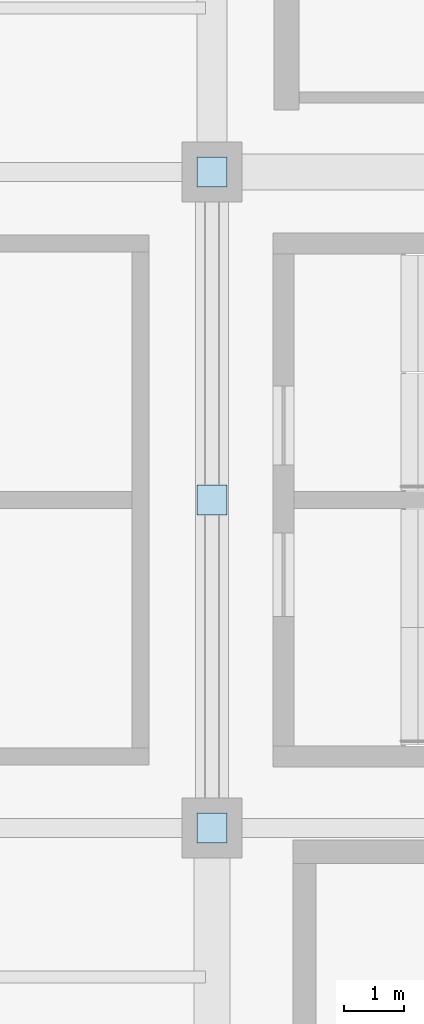
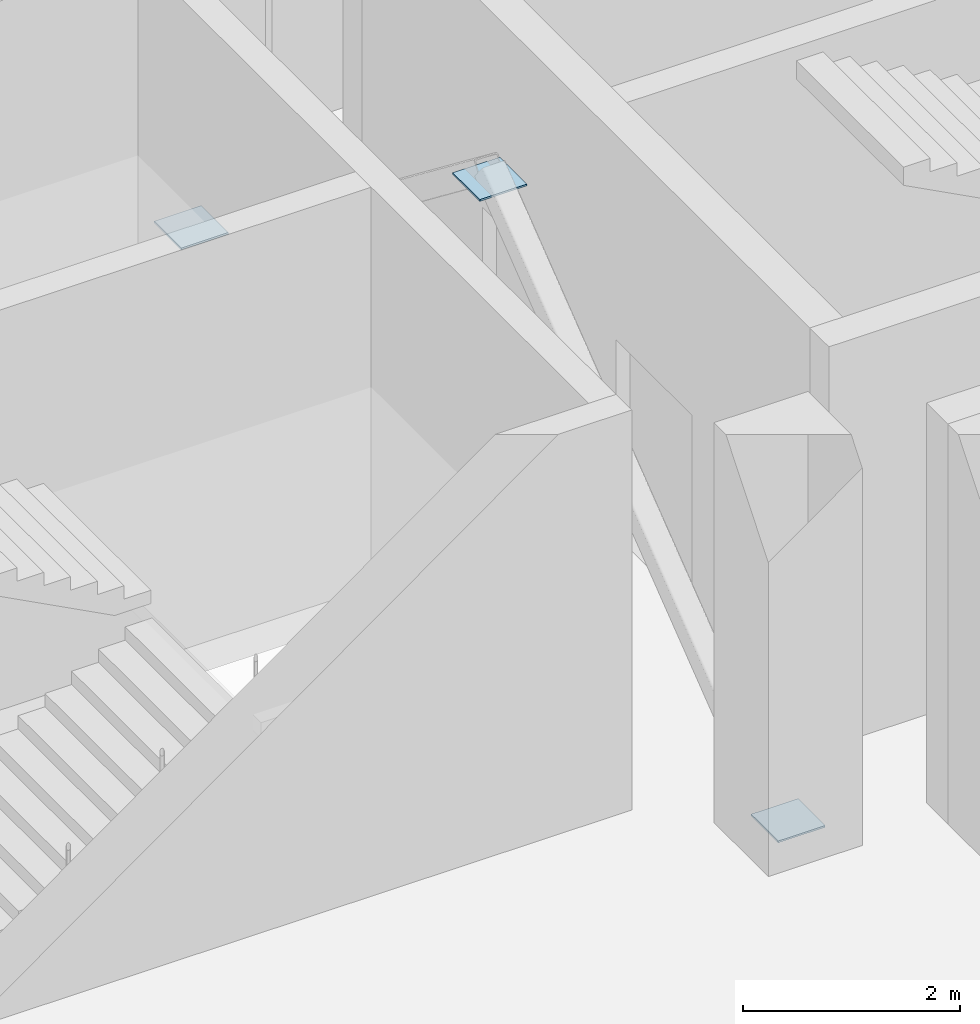
# One storey, part 78 of 108: 3 plates.
"""IFC4 building model written with IfcOpenShell, lengths in metres."""

import ifcopenshell
import ifcopenshell.guid

model = None  # the IFC model being written
_history = None  # IfcOwnerHistory: only IFC2X3 demands one
_inside = {}  # id of a spatial element -> (the spatial element, [elements in it])
_under = {}  # id of a project, library or spatial element -> (it, [spatial elements below it])
_declared = {}  # id of a project -> (the project, [libraries it declares])
_typed = {}  # id of a type object -> (the type object, [elements of that type])
_made_of = {}  # id of a material, layer set ... -> (it, [elements and type objects made of it])


def new_model(schema):
    """Start an empty IFC model of exactly this schema.

    Asked for "IFC4X3", IfcOpenShell would pick the latest addendum, in which some entities
    have other attributes; the version numbers below select the first issue.
    IFC2X3 requires an IfcOwnerHistory on every rooted entity: one is made here for all.
    """
    global model, _history
    if schema == "IFC4X3":
        model = ifcopenshell.file(schema_version=(4, 3, 0, 0))
    else:
        model = ifcopenshell.file(schema=schema)
    _inside.clear()
    _under.clear()
    _declared.clear()
    _typed.clear()
    _made_of.clear()
    _history = None
    if model.schema == "IFC2X3":
        org = make("IfcOrganization", Name="unknown")
        user = make(
            "IfcPersonAndOrganization",
            ThePerson=make("IfcPerson", FamilyName="unknown"),
            TheOrganization=org,
        )
        app = make(
            "IfcApplication",
            ApplicationDeveloper=org,
            Version="unknown",
            ApplicationFullName="unknown",
            ApplicationIdentifier="unknown",
        )
        _history = make(
            "IfcOwnerHistory",
            OwningUser=user,
            OwningApplication=app,
            ChangeAction="ADDED",
            CreationDate=0,
        )
    return model


def make(cls, **values):
    """One entity of the class cls with the attributes given. An attribute that is None is left unset."""
    return model.create_entity(
        cls, **{name: value for name, value in values.items() if value is not None}
    )


def rooted(cls, **values):
    """An entity with a GlobalId (a new one), such as an element, a storey or a relation."""
    return make(cls, GlobalId=ifcopenshell.guid.new(), OwnerHistory=_history, **values)


def si_unit(unit_type, name, prefix=None):
    """IfcSIUnit, for example si_unit("LENGTHUNIT", "METRE", prefix="MILLI")."""
    return make("IfcSIUnit", UnitType=unit_type, Prefix=prefix, Name=name)


def assignment(units):
    """IfcUnitAssignment: the units of a project."""
    return None if units is None else make("IfcUnitAssignment", Units=units)


def point(xyz):
    """IfcCartesianPoint."""
    return None if xyz is None else make("IfcCartesianPoint", Coordinates=xyz)


def direction(xyz):
    """IfcDirection."""
    return None if xyz is None else make("IfcDirection", DirectionRatios=xyz)


def frame(location, z_axis=None, x_axis=None):
    """IfcAxis2Placement3D, a coordinate frame: its origin and axes. An axis left out is left unset."""
    return make(
        "IfcAxis2Placement3D",
        Location=point(location),
        Axis=direction(z_axis),
        RefDirection=direction(x_axis),
    )


def frame_2d(location, x_axis=None):
    """IfcAxis2Placement2D, a coordinate frame in the plane: its origin and x axis."""
    return make(
        "IfcAxis2Placement2D", Location=point(location), RefDirection=direction(x_axis)
    )


def origin():
    """The frame at (0, 0, 0) with its axes left unset."""
    return frame((0.0, 0.0, 0.0))


def origin_2d():
    """The frame at (0, 0) in the plane with its x axis left unset."""
    return frame_2d((0.0, 0.0))


def place(relative_to, where):
    """IfcLocalPlacement: puts the frame where relative to a parent placement (None: the world)."""
    return make(
        "IfcLocalPlacement", PlacementRelTo=relative_to, RelativePlacement=where
    )


def context(
    kind, dimensions, precision=None, world=None, true_north=None, identifier=None
):
    """IfcGeometricRepresentationContext, for example the 3D "Model" context."""
    return make(
        "IfcGeometricRepresentationContext",
        ContextIdentifier=identifier,
        ContextType=kind,
        CoordinateSpaceDimension=dimensions,
        Precision=precision,
        WorldCoordinateSystem=world,
        TrueNorth=true_north,
    )


def subcontext(parent, identifier, kind, view, scale=None):
    """IfcGeometricRepresentationSubContext, for example "Body" below "Model"."""
    return make(
        "IfcGeometricRepresentationSubContext",
        ContextIdentifier=identifier,
        ContextType=kind,
        ParentContext=parent,
        TargetScale=scale,
        TargetView=view,
    )


def project(units=None, contexts=None):
    """IfcProject with its units and contexts."""
    return rooted(
        "IfcProject",
        Name="project",
        RepresentationContexts=contexts,
        UnitsInContext=assignment(units),
    )


def spatial(cls, under=None, at=None, **own):
    """A site, building, storey or space (cls), placed at a placement, below another one or the project."""
    s = rooted(cls, ObjectPlacement=at, **own)
    if under is not None:
        _under.setdefault(under.id(), (under, []))[1].append(s)
    return s


def profile(cls, at=None, kind="AREA", **sizes):
    """A parametric profile (cls). Its sizes go by their IFC names, for example OverallWidth=200.0."""
    return make(cls, ProfileType=kind, Position=at, **sizes)


def rectangle(**sizes):
    """IfcRectangleProfileDef."""
    return profile("IfcRectangleProfileDef", **sizes)


def extrude(swept, where, along, depth):
    """IfcExtrudedAreaSolid: the profile swept, set in the frame where, extruded along a direction by depth."""
    return make(
        "IfcExtrudedAreaSolid",
        SweptArea=swept,
        Position=where,
        ExtrudedDirection=direction(along),
        Depth=depth,
    )


def shape(context_of_items, identifier, shape_type, items):
    """IfcShapeRepresentation: the items that make up one representation, for example the "Body"."""
    return make(
        "IfcShapeRepresentation",
        ContextOfItems=context_of_items,
        RepresentationIdentifier=identifier,
        RepresentationType=shape_type,
        Items=items,
    )


def material(Name=None, Category=None):
    """IfcMaterial."""
    return make("IfcMaterial", Name=Name, Category=Category)


def layer(
    of_material, thickness, ventilated=None, Name=None, Category=None, Priority=None
):
    """IfcMaterialLayer: one layer of a wall or slab, of a material (None: an air gap)."""
    return make(
        "IfcMaterialLayer",
        Material=of_material,
        LayerThickness=thickness,
        IsVentilated=ventilated,
        Name=Name,
        Category=Category,
        Priority=Priority,
    )


def layer_set(layers, Name=None):
    """IfcMaterialLayerSet."""
    return make("IfcMaterialLayerSet", MaterialLayers=layers, LayerSetName=Name)


def made_of(thing, what):
    """Note that an element or type object is made of a material, layer set ...; save() writes the relation."""
    if what is not None:
        _made_of.setdefault(what.id(), (what, []))[1].append(thing)
    return thing


def type_object(cls, material=None, **own):
    """A type object (cls), such as IfcWallType, which elements share."""
    return made_of(rooted(cls, **own), material)


def element(
    cls,
    number,
    at=None,
    inside=None,
    cuts=None,
    type_object=None,
    material=None,
    context=None,
    identifier="Body",
    shape_type=None,
    held_by="IfcProductDefinitionShape",
    body=None,
    shapes=None,
    **own,
):
    """One element of the class cls, such as IfcWall. Its Tag is "e" and its number.

    at: its placement. inside: the storey or other place that contains it. cuts: it is an
    opening in that element (IfcRelVoidsElement). A single representation is given by context,
    identifier, shape_type and body (its items); several are given by shapes. held_by: the class
    of the entity that holds the representations. save() writes the other relations.
    """
    e = rooted(cls, Tag="e%d" % number, ObjectPlacement=at, **own)
    if body is not None:
        shapes = [shape(context, identifier, shape_type, body)]
    if shapes is not None:
        e.Representation = make(held_by, Representations=shapes)
    if inside is not None:
        _inside.setdefault(inside.id(), (inside, []))[1].append(e)
    if cuts is not None:
        rooted(
            "IfcRelVoidsElement", RelatingBuildingElement=cuts, RelatedOpeningElement=e
        )
    if type_object is not None:
        _typed.setdefault(type_object.id(), (type_object, []))[1].append(e)
    return made_of(e, material)


def aggregate(whole, parts):
    """IfcRelAggregates: a whole, such as a stair, and the parts it consists of."""
    return rooted("IfcRelAggregates", RelatingObject=whole, RelatedObjects=parts)


def save(model, path):
    """Write the relations noted so far, then the file.

    IfcRelAggregates (storeys below a building ...), IfcRelContainedInSpatialStructure (elements
    in a storey), IfcRelDefinesByType, IfcRelAssociatesMaterial and IfcRelDeclares: one each for
    every whole, place, type object, material and project.
    """
    for whole, parts in _under.values():
        aggregate(whole, parts)
    for where, things in _inside.values():
        rooted(
            "IfcRelContainedInSpatialStructure",
            RelatedElements=things,
            RelatingStructure=where,
        )
    for kind, things in _typed.values():
        rooted("IfcRelDefinesByType", RelatedObjects=things, RelatingType=kind)
    for what, things in _made_of.values():
        rooted("IfcRelAssociatesMaterial", RelatedObjects=things, RelatingMaterial=what)
    for by, libraries in _declared.values():
        rooted("IfcRelDeclares", RelatingContext=by, RelatedDefinitions=libraries)
    model.write(path)


model = new_model("IFC4")

# Units and contexts
model_context = context("Model", 3, precision=1e-05, world=origin(), true_north=direction((0.0, 1.0)))
body_context = subcontext(model_context, "Body", "Model", "MODEL_VIEW")
ifc_project = project(units=[si_unit("LENGTHUNIT", "METRE"), si_unit("AREAUNIT", "SQUARE_METRE"), si_unit("VOLUMEUNIT", "CUBIC_METRE"), si_unit("PLANEANGLEUNIT", "RADIAN"), si_unit("MASSUNIT", "GRAM", prefix="KILO")], contexts=[model_context])

# Site, building, storey
site_placement = place(None, origin())
site = spatial("IfcSite", under=ifc_project, at=site_placement, CompositionType="ELEMENT")
building_placement = place(site_placement, origin())
building = spatial("IfcBuilding", under=site, at=building_placement, Name="Brinegate Civic Arena", CompositionType="ELEMENT")
storey_placement = place(building_placement, frame((0.0, 0.0, 10.199951171875)))
storey = spatial("IfcBuildingStorey", under=building, at=storey_placement, Name="L02", CompositionType="ELEMENT", Elevation=10.199951171875)

# Plates
ifc_material = material(Name="Steel S355", Category="steel")
ifc_layer = layer(ifc_material, 0.02001953125, Name="Steel S355")
ifc_layer_set = layer_set([ifc_layer], Name="Steel S355")
plate_type = type_object("IfcPlateType", Name="PLATE-GUSSET-500X20", PredefinedType="SHEET", material=ifc_layer_set)
for number, where, z_axis, x_axis, name in (
    (1, (156.0, 25.5, 4.02001953125), (0.0, 0.0, 1.0), (1.0, 0.0, 0.0), "Chevron Gusset Plate GPL-09"),
    (2, (156.0, 20.0, 0.14013671875), (0.0, 0.0, 1.0), (1.0, 0.0, 0.0), "Chevron Base Gusset Plate GPL-09-BA"),
    (3, (156.0, 31.0, 0.14013671875), (0.0, 0.0, 1.0), (1.0, 0.0, 0.0), "Chevron Base Gusset Plate GPL-09-BB"),
):
    element("IfcPlate", number, at=place(storey_placement, frame(where, z_axis=z_axis, x_axis=x_axis)), inside=storey, type_object=plate_type, Name=name, PredefinedType="SHEET", context=body_context, shape_type="SweptSolid", body=[
        extrude(rectangle(XDim=0.5, YDim=0.5, at=origin_2d()), origin(), (0.0, 0.0, 1.0), 0.02001953125),
    ])

save(model, "model.ifc")
